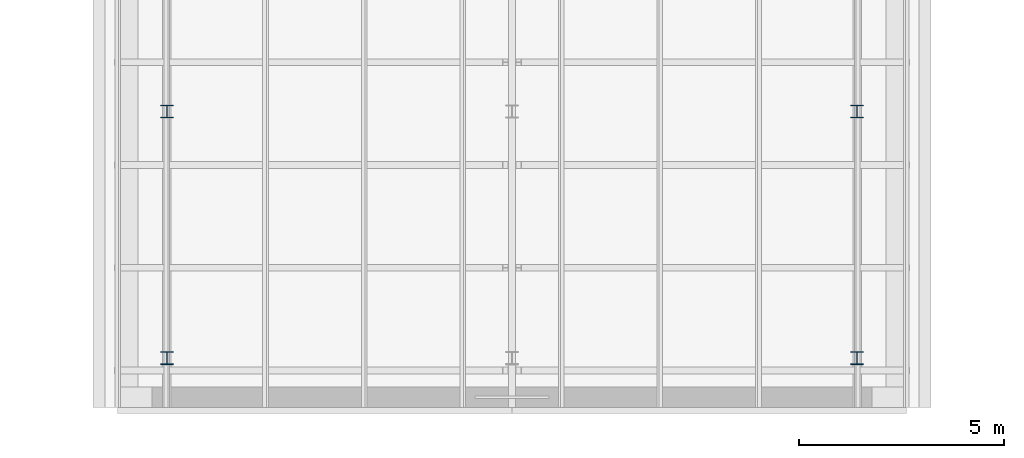
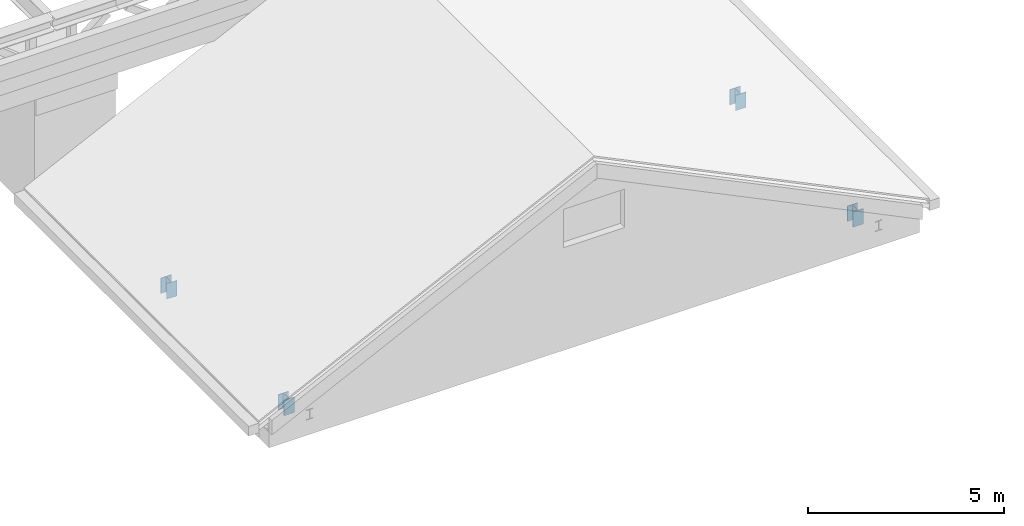
# One storey, part 14 of 93: 4 columns.
"""IFC4 building model written with IfcOpenShell, lengths in metres."""

from ifc_helpers import new_model, si_unit, direction, frame, origin, origin_2d, place, context, subcontext, project, spatial, i_section, extrude, material, material_profile, profile_set, type_object, element, save


model = new_model("IFC4")

# Units and contexts
model_context = context("Model", 3, precision=1e-05, world=origin(), true_north=direction((0.0, 1.0)))
body_context = subcontext(model_context, "Body", "Model", "MODEL_VIEW")
ifc_project = project(units=[si_unit("LENGTHUNIT", "METRE"), si_unit("AREAUNIT", "SQUARE_METRE"), si_unit("VOLUMEUNIT", "CUBIC_METRE"), si_unit("PLANEANGLEUNIT", "RADIAN"), si_unit("MASSUNIT", "GRAM", prefix="KILO")], contexts=[model_context])

# Site, building, storey
site_placement = place(None, origin())
site = spatial("IfcSite", under=ifc_project, at=site_placement, CompositionType="ELEMENT")
building_placement = place(site_placement, origin())
building = spatial("IfcBuilding", under=site, at=building_placement, Name="Verrick Yard Athletic Hall", CompositionType="ELEMENT")
storey_placement = place(building_placement, frame((0.0, 0.0, 8.800048828125)))
storey = spatial("IfcBuildingStorey", under=building, at=storey_placement, Name="L02", CompositionType="ELEMENT", Elevation=8.800048828125)

# Columns
ifc_material = material(Name="Structural steel 350W (CSA G40.21)", Category="steel")
ifc_material_profile = material_profile(ifc_material, i_section(OverallWidth=0.305908203125, OverallDepth=0.31103515625, WebThickness=0.010986328125, FlangeThickness=0.01708984375, at=origin_2d()), Name="W310x107")
ifc_profile_set = profile_set([ifc_material_profile], Name="Structural steel 350W (CSA G40.21)")
column_type = type_object("IfcColumnType", Name="STR Foyer column W310x107", PredefinedType="COLUMN", material=ifc_profile_set)
for number, where, z_axis, x_axis, name in (
    (1, (90.39990234375, 7.199951171875, 0.0), (0.0, 0.0, 1.0), (1.0, 0.0, 0.0), "Foyer column FC11"),
    (2, (90.39990234375, 13.199951171875, 0.0), (0.0, 0.0, 1.0), (1.0, 0.0, 0.0), "Foyer column FC12"),
    (3, (107.199951171875, 7.199951171875, 0.0), (0.0, 0.0, 1.0), (1.0, 0.0, 0.0), "Foyer column FC31"),
    (4, (107.199951171875, 13.199951171875, 0.0), (0.0, 0.0, 1.0), (1.0, 0.0, 0.0), "Foyer column FC32"),
):
    element("IfcColumn", number, at=place(storey_placement, frame(where, z_axis=z_axis, x_axis=x_axis)), inside=storey, type_object=column_type, Name=name, PredefinedType="COLUMN", context=body_context, shape_type="SweptSolid", body=[
        extrude(i_section(OverallWidth=0.305908203125, OverallDepth=0.31103515625, WebThickness=0.010986328125, FlangeThickness=0.01708984375, at=origin_2d()), origin(), (0.0, 0.0, 1.0), 0.479736328125),
    ])

save(model, "model.ifc")
